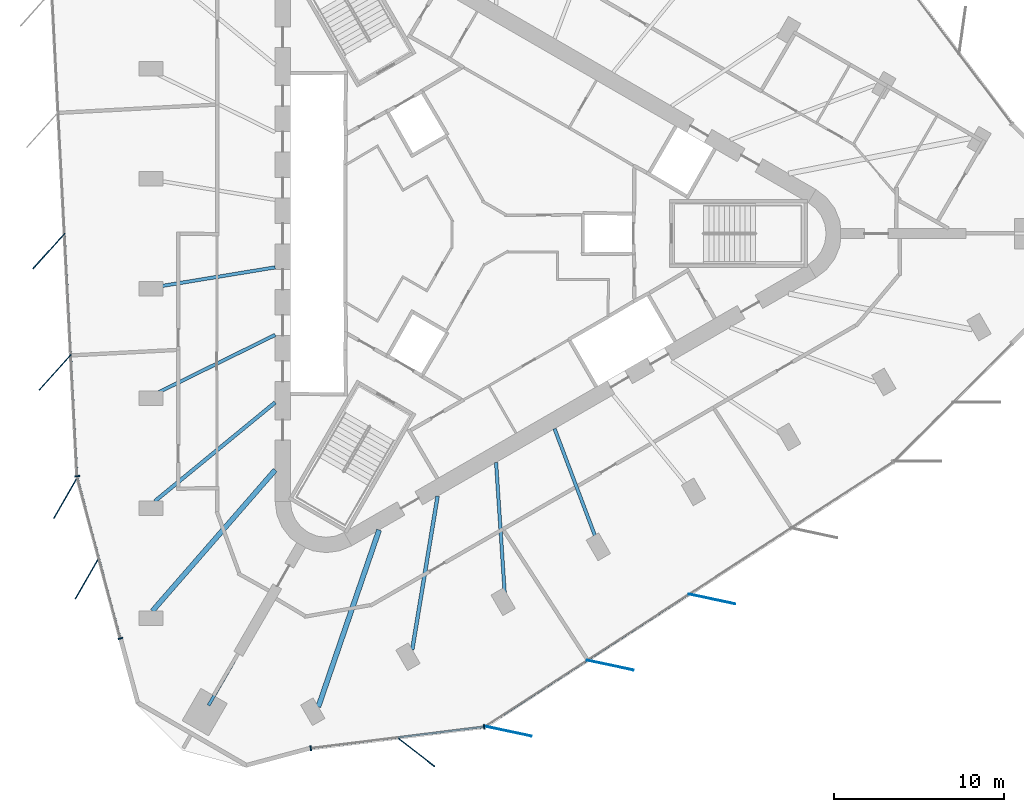
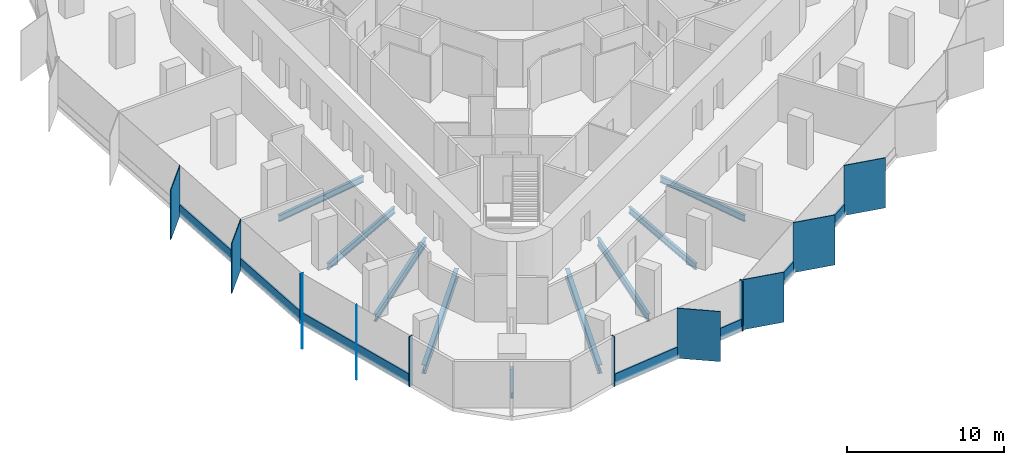
# One storey, part 2 of 12: 20 members, 9 beams, 4 elements without a shape of their own.
"""IFC4 building model written with IfcOpenShell, lengths in metres."""

from ifc_helpers import new_model, si_unit, direction, frame, origin, origin_2d, place, context, subcontext, project, spatial, rectangle, i_section, extrude, material, material_profile, profile_set, type_object, element, aggregate, save


model = new_model("IFC4")

# Units and contexts
model_context = context("Model", 3, precision=1e-05, world=origin(), true_north=direction((0.0, 1.0)))
body_context = subcontext(model_context, "Body", "Model", "MODEL_VIEW")
ifc_project = project(units=[si_unit("LENGTHUNIT", "METRE"), si_unit("AREAUNIT", "SQUARE_METRE"), si_unit("VOLUMEUNIT", "CUBIC_METRE"), si_unit("PLANEANGLEUNIT", "RADIAN"), si_unit("MASSUNIT", "GRAM", prefix="KILO")], contexts=[model_context])

# Site, building, storey
site_placement = place(None, origin())
site = spatial("IfcSite", under=ifc_project, at=site_placement, CompositionType="ELEMENT")
building_placement = place(site_placement, origin())
building = spatial("IfcBuilding", under=site, at=building_placement, Name="Tanit Gate Tower", CompositionType="ELEMENT")
storey_placement = place(building_placement, frame((0.0, 0.0, 357.199951171875)))
storey = spatial("IfcBuildingStorey", under=building, at=storey_placement, Name="L81", CompositionType="ELEMENT", Elevation=357.199951171875)

# Curtain wall, members
ifc_material_1 = material(Name="Aluminium bronze anodised and glass", Category="aluminium")
curtain_wall_type = type_object("IfcCurtainWallType", Name="Curtain wall typical high", PredefinedType="NOTDEFINED", material=ifc_material_1)
curtain_wall_1_placement = place(storey_placement, origin())
curtain_wall_1 = element("IfcCurtainWall", 1, at=curtain_wall_1_placement, inside=storey, type_object=curtain_wall_type, Name="Curtain wall L81 W2", PredefinedType="NOTDEFINED")
ifc_material_2 = material(Name="Aluminium bronze anodised", Category="aluminium")
ifc_material_profile_1 = material_profile(ifc_material_2, rectangle(XDim=2.800048828125, YDim=0.055908203125, at=origin_2d()), Name="56x2800 bronze fin mullion")
ifc_profile_set_1 = profile_set([ifc_material_profile_1], Name="Aluminium bronze anodised")
member_type_1 = type_object("IfcMemberType", Name="FIN MULLION 56x2800 bronze", PredefinedType="MULLION", material=ifc_profile_set_1)
member_1_placement = place(storey_placement, frame((-25.40966796875, -1.026611328125, -0.300048828125), z_axis=(0.0, 0.0, 1.0), x_axis=(0.66948111798, 0.742829073656, 0.0)))
member_1 = element("IfcMember", 2, at=member_1_placement, type_object=member_type_1, Name="Fin mullion L81 W2.3", PredefinedType="MULLION", context=body_context, shape_type="SweptSolid", body=[
    extrude(rectangle(XDim=2.800048828125, YDim=0.055908203125, at=origin_2d()), origin(), (0.0, 0.0, 1.0), 3.900146484375),
])
member_2_placement = place(storey_placement, frame((-25.0390625, -8.15966796875, -0.300048828125), z_axis=(0.0, 0.0, 1.0), x_axis=(0.66948111798, 0.742829073656, 0.0)))
member_2 = element("IfcMember", 3, at=member_2_placement, type_object=member_type_1, Name="Fin mullion L81 W2.4", PredefinedType="MULLION", context=body_context, shape_type="SweptSolid", body=[
    extrude(rectangle(XDim=2.800048828125, YDim=0.055908203125, at=origin_2d()), origin(), (0.0, 0.0, 1.0), 3.900146484375),
])

curtain_wall_2_placement = place(storey_placement, origin())
curtain_wall_2 = element("IfcCurtainWall", 4, at=curtain_wall_2_placement, inside=storey, type_object=curtain_wall_type, Name="Curtain wall L81 W3", PredefinedType="NOTDEFINED")
member_3_placement = place(storey_placement, frame((-24.4228515625, -15.541259765625, -0.300048828125), z_axis=(0.0, 0.0, 1.0), x_axis=(0.500271667571, 0.865868499615, 0.0)))
member_3 = element("IfcMember", 5, at=member_3_placement, type_object=member_type_1, Name="Fin mullion L81 W3.1", PredefinedType="MULLION", context=body_context, shape_type="SweptSolid", body=[
    extrude(rectangle(XDim=2.800048828125, YDim=0.055908203125, at=origin_2d()), origin(), (0.0, 0.0, 1.0), 3.900146484375),
])
member_4_placement = place(storey_placement, frame((-23.15673828125, -20.27197265625, -0.300048828125), z_axis=(0.0, 0.0, 1.0), x_axis=(0.500271667571, 0.865868499615, 0.0)))
member_4 = element("IfcMember", 6, at=member_4_placement, type_object=member_type_1, Name="Fin mullion L81 W3.2", PredefinedType="MULLION", context=body_context, shape_type="SweptSolid", body=[
    extrude(rectangle(XDim=2.800048828125, YDim=0.055908203125, at=origin_2d()), origin(), (0.0, 0.0, 1.0), 3.900146484375),
])

# Curtain wall, member
curtain_wall_3_placement = place(storey_placement, origin())
curtain_wall_3 = element("IfcCurtainWall", 7, at=curtain_wall_3_placement, inside=storey, type_object=curtain_wall_type, Name="Curtain wall L81 SE1", PredefinedType="NOTDEFINED")
member_5_placement = place(storey_placement, frame((-3.822998046875, -30.4853515625, -0.300048828125), z_axis=(0.0, 0.0, 1.0), x_axis=(-0.788562382323, 0.614954770032, 0.0)))
member_5 = element("IfcMember", 8, at=member_5_placement, type_object=member_type_1, Name="Fin mullion L81 SE1.2", PredefinedType="MULLION", context=body_context, shape_type="SweptSolid", body=[
    extrude(rectangle(XDim=2.800048828125, YDim=0.055908203125, at=origin_2d()), origin(), (0.0, 0.0, 1.0), 3.900146484375),
])

# Curtain wall, members
curtain_wall_4_placement = place(storey_placement, origin())
curtain_wall_4 = element("IfcCurtainWall", 9, at=curtain_wall_4_placement, inside=storey, type_object=curtain_wall_type, Name="Curtain wall L81 SE2", PredefinedType="NOTDEFINED")
member_6_placement = place(storey_placement, frame((1.609130859375, -29.26708984375, -0.300048828125), z_axis=(0.0, 0.0, 1.0), x_axis=(-0.978049407445, 0.208373118697, 0.0)))
member_6 = element("IfcMember", 10, at=member_6_placement, type_object=member_type_1, Name="Fin mullion L81 SE2.1", PredefinedType="MULLION", context=body_context, shape_type="SweptSolid", body=[
    extrude(rectangle(XDim=2.800048828125, YDim=0.055908203125, at=origin_2d()), origin(), (0.0, 0.0, 1.0), 3.900146484375),
])
member_7_placement = place(storey_placement, frame((7.6015625, -25.379638671875, -0.300048828125), z_axis=(0.0, 0.0, 1.0), x_axis=(-0.978049407445, 0.208373118697, 0.0)))
member_7 = element("IfcMember", 11, at=member_7_placement, type_object=member_type_1, Name="Fin mullion L81 SE2.2", PredefinedType="MULLION", context=body_context, shape_type="SweptSolid", body=[
    extrude(rectangle(XDim=2.800048828125, YDim=0.055908203125, at=origin_2d()), origin(), (0.0, 0.0, 1.0), 3.900146484375),
])
member_8_placement = place(storey_placement, frame((13.59375, -21.4921875, -0.300048828125), z_axis=(0.0, 0.0, 1.0), x_axis=(-0.978049407445, 0.208373118697, 0.0)))
member_8 = element("IfcMember", 12, at=member_8_placement, type_object=member_type_1, Name="Fin mullion L81 SE2.3", PredefinedType="MULLION", context=body_context, shape_type="SweptSolid", body=[
    extrude(rectangle(XDim=2.800048828125, YDim=0.055908203125, at=origin_2d()), origin(), (0.0, 0.0, 1.0), 3.900146484375),
])

# Member
ifc_material_3 = material(Name="Aluminium bronze anodised", Category="aluminium")
ifc_material_profile_2 = material_profile(ifc_material_3, rectangle(XDim=0.280029296875, YDim=0.080078125, at=origin_2d()), Name="80x280 bronze mullion")
ifc_profile_set_2 = profile_set([ifc_material_profile_2], Name="Aluminium bronze anodised")
member_type_2 = type_object("IfcMemberType", Name="Mullion 80x280 typical high", PredefinedType="MULLION", material=ifc_profile_set_2)
member_9_placement = place(storey_placement, frame((-23.74462890625, -14.267578125, -0.300048828125), z_axis=(0.0, 0.0, 1.0), x_axis=(0.998654113645, 0.051864836844, 0.0)))
member_9 = element("IfcMember", 13, at=member_9_placement, type_object=member_type_2, Name="Mullion L81 W2.5", PredefinedType="MULLION", context=body_context, shape_type="SweptSolid", body=[
    extrude(rectangle(XDim=0.280029296875, YDim=0.080078125, at=origin_2d()), origin(), (0.0, 0.0, 1.0), 3.900146484375),
])

member_10_placement = place(storey_placement, frame((-21.2001953125, -23.8076171875, -0.300048828125), z_axis=(0.0, 0.0, 1.0), x_axis=(0.966006976269, 0.258515999119, 0.0)))
member_10 = element("IfcMember", 14, at=member_10_placement, type_object=member_type_2, Name="Mullion L81 W3.3", PredefinedType="MULLION", context=body_context, shape_type="SweptSolid", body=[
    extrude(rectangle(XDim=0.280029296875, YDim=0.080078125, at=origin_2d()), origin(), (0.0, 0.0, 1.0), 3.900146484375),
])

member_11_placement = place(storey_placement, frame((-10.0087890625, -30.26708984375, -0.300048828125), z_axis=(0.0, 0.0, 1.0), x_axis=(-0.122759119916, 0.992436495942, 0.0)))
member_11 = element("IfcMember", 15, at=member_11_placement, type_object=member_type_2, Name="Mullion L81 SE1.1", PredefinedType="MULLION", context=body_context, shape_type="SweptSolid", body=[
    extrude(rectangle(XDim=0.280029296875, YDim=0.080078125, at=origin_2d()), origin(), (0.0, 0.0, 1.0), 3.900146484375),
])

member_12_placement = place(storey_placement, frame((0.18603515625, -29.006103515625, -0.300048828125), z_axis=(0.0, 0.0, 1.0), x_axis=(-0.122759119916, 0.992436495942, 0.0)))
member_12 = element("IfcMember", 16, at=member_12_placement, type_object=member_type_2, Name="Mullion L81 SE1.3", PredefinedType="MULLION", context=body_context, shape_type="SweptSolid", body=[
    extrude(rectangle(XDim=0.280029296875, YDim=0.080078125, at=origin_2d()), origin(), (0.0, 0.0, 1.0), 3.900146484375),
])

# Beams
ifc_material_4 = material(Name="Steel S355", Category="steel")
ifc_material_profile_3 = material_profile(ifc_material_4, i_section(OverallWidth=0.300048828125, OverallDepth=0.68994140625, WebThickness=0.014404296875, FlangeThickness=0.027099609375, FilletRadius=0.027099609375, at=origin_2d()), Name="HEA 700")
ifc_profile_set_3 = profile_set([ifc_material_profile_3], Name="Steel S355")
beam_type_1 = type_object("IfcBeamType", Name="RADIAL GIRDER HEA 700 S355", PredefinedType="BEAM", material=ifc_profile_set_3)
for number, where, z_axis, x_axis, name in (
    (17, (-19.322021484375, -22.198486328125, -0.64501953125), (0.656551846621, 0.754280897742, 0.0), (-0.754280897742, 0.656551846621, 0.0), "RADIAL GIRDER"),
    (18, (-9.563720703125, -27.83251953125, -0.64501953125), (0.324979251092, 0.945721146195, 0.0), (-0.945721146195, 0.324979251092, 0.0), "RADIAL GIRDER"),
):
    element("IfcBeam", number, at=place(storey_placement, frame(where, z_axis=z_axis, x_axis=x_axis)), inside=storey, type_object=beam_type_1, Name=name, PredefinedType="BEAM", context=body_context, shape_type="SweptSolid", body=[
        extrude(i_section(OverallWidth=0.300048828125, OverallDepth=0.68994140625, WebThickness=0.014404296875, FlangeThickness=0.027099609375, FilletRadius=0.027099609375, at=origin_2d()), origin(), (0.0, 0.0, 1.0), 10.996826171875),
    ])
ifc_material_5 = material(Name="Steel S355", Category="steel")
ifc_material_profile_4 = material_profile(ifc_material_5, i_section(OverallWidth=0.179931640625, OverallDepth=0.39990234375, WebThickness=0.008544921875, FlangeThickness=0.013427734375, FilletRadius=0.02099609375, at=origin_2d()), Name="IPE 400")
ifc_profile_set_4 = profile_set([ifc_material_profile_4], Name="Steel S355")
beam_type_2 = type_object("IfcBeamType", Name="RADIAL GIRDER IPE 400 S355", PredefinedType="BEAM", material=ifc_profile_set_4)
beam_1_placement = place(storey_placement, frame((-16.019775390625, -27.746826171875, -0.5), z_axis=(0.500014901547, 0.866016800201, 0.0), x_axis=(-0.866016800201, 0.500014901547, 0.0)))
element("IfcBeam", 19, at=beam_1_placement, inside=storey, type_object=beam_type_2, Name="RADIAL GIRDER", PredefinedType="BEAM", context=body_context, shape_type="SweptSolid", body=[
    extrude(i_section(OverallWidth=0.179931640625, OverallDepth=0.39990234375, WebThickness=0.008544921875, FlangeThickness=0.013427734375, FilletRadius=0.02099609375, at=origin_2d()), origin(), (0.0, 0.0, 1.0), 3.03515625),
])
ifc_material_6 = material(Name="Steel S355", Category="steel")
ifc_material_profile_5 = material_profile(ifc_material_6, i_section(OverallWidth=0.199951171875, OverallDepth=0.5, WebThickness=0.01025390625, FlangeThickness=0.01611328125, FilletRadius=0.02099609375, at=origin_2d()), Name="IPE 500")
ifc_profile_set_5 = profile_set([ifc_material_profile_5], Name="Steel S355")
beam_type_3 = type_object("IfcBeamType", Name="RADIAL GIRDER IPE 500 S355", PredefinedType="BEAM", material=ifc_profile_set_5)
beam_2_placement = place(storey_placement, frame((-18.99169921875, -3.116943359375, -0.550048828125), z_axis=(0.986795432202, 0.161971525229, 0.0), x_axis=(-0.161971525229, 0.986795432202, 0.0)))
element("IfcBeam", 20, at=beam_2_placement, inside=storey, type_object=beam_type_3, Name="RADIAL GIRDER", PredefinedType="BEAM", context=body_context, shape_type="SweptSolid", body=[
    extrude(i_section(OverallWidth=0.199951171875, OverallDepth=0.5, WebThickness=0.01025390625, FlangeThickness=0.01611328125, FilletRadius=0.02099609375, at=origin_2d()), origin(), (0.0, 0.0, 1.0), 6.98193359375),
])
beam_3_placement = place(storey_placement, frame((-18.99169921875, -9.35107421875, -0.550048828125), z_axis=(0.897144509959, 0.441737171009, 0.0), x_axis=(-0.441737171009, 0.897144509959, 0.0)))
element("IfcBeam", 21, at=beam_3_placement, inside=storey, type_object=beam_type_3, Name="RADIAL GIRDER", PredefinedType="BEAM", context=body_context, shape_type="SweptSolid", body=[
    extrude(i_section(OverallWidth=0.199951171875, OverallDepth=0.5, WebThickness=0.01025390625, FlangeThickness=0.01611328125, FilletRadius=0.02099609375, at=origin_2d()), origin(), (0.0, 0.0, 1.0), 7.679443359375),
])
beam_4_placement = place(storey_placement, frame((1.3974609375, -21.122802734375, -0.550048828125), z_axis=(-0.066029480547, 0.997817672573, 0.0), x_axis=(-0.997817672573, -0.066029480547, 0.0)))
element("IfcBeam", 22, at=beam_4_placement, inside=storey, type_object=beam_type_3, Name="RADIAL GIRDER", PredefinedType="BEAM", context=body_context, shape_type="SweptSolid", body=[
    extrude(i_section(OverallWidth=0.199951171875, OverallDepth=0.5, WebThickness=0.01025390625, FlangeThickness=0.01611328125, FilletRadius=0.02099609375, at=origin_2d()), origin(), (0.0, 0.0, 1.0), 7.6796875),
])
beam_5_placement = place(storey_placement, frame((6.79638671875, -18.005859375, -0.550048828125), z_axis=(-0.353142148435, 0.935569678324, 0.0), x_axis=(-0.935569678324, -0.353142148435, 0.0)))
element("IfcBeam", 23, at=beam_5_placement, inside=storey, type_object=beam_type_3, Name="RADIAL GIRDER", PredefinedType="BEAM", context=body_context, shape_type="SweptSolid", body=[
    extrude(i_section(OverallWidth=0.199951171875, OverallDepth=0.5, WebThickness=0.01025390625, FlangeThickness=0.01611328125, FilletRadius=0.02099609375, at=origin_2d()), origin(), (0.0, 0.0, 1.0), 6.98193359375),
])
ifc_material_7 = material(Name="Steel S355", Category="steel")
ifc_material_profile_6 = material_profile(ifc_material_7, i_section(OverallWidth=0.219970703125, OverallDepth=0.60009765625, WebThickness=0.011962890625, FlangeThickness=0.01904296875, FilletRadius=0.02392578125, at=origin_2d()), Name="IPE 600")
ifc_profile_set_6 = profile_set([ifc_material_profile_6], Name="Steel S355")
beam_type_4 = type_object("IfcBeamType", Name="RADIAL GIRDER IPE 600 S355", PredefinedType="BEAM", material=ifc_profile_set_6)
for number, where, z_axis, x_axis, name in (
    (24, (-19.173828125, -15.734619140625, -0.599853515625), (0.773033772719, 0.634364868381, 0.0), (-0.634364868381, 0.773033772719, 0.0), "RADIAL GIRDER"),
    (25, (-4.039794921875, -24.472412109375, -0.599853515625), (0.162871136194, 0.986647349865, 0.0), (-0.986647349865, 0.162871136194, 0.0), "RADIAL GIRDER"),
):
    element("IfcBeam", number, at=place(storey_placement, frame(where, z_axis=z_axis, x_axis=x_axis)), inside=storey, type_object=beam_type_4, Name=name, PredefinedType="BEAM", context=body_context, shape_type="SweptSolid", body=[
        extrude(i_section(OverallWidth=0.219970703125, OverallDepth=0.60009765625, WebThickness=0.011962890625, FlangeThickness=0.01904296875, FilletRadius=0.02392578125, at=origin_2d()), origin(), (0.0, 0.0, 1.0), 9.148193359375),
    ])

# Member
ifc_material_8 = material(Name="Aluminium bronze anodised", Category="aluminium")
ifc_material_profile_7 = material_profile(ifc_material_8, rectangle(XDim=0.1201171875, YDim=0.89990234375, at=origin_2d()), Name="120x900 bronze transom")
ifc_profile_set_7 = profile_set([ifc_material_profile_7], Name="Aluminium bronze anodised")
member_type_3 = type_object("IfcMemberType", Name="Transom 120x900 typical high", PredefinedType="USERDEFINED", material=ifc_profile_set_7)
member_13_placement = place(storey_placement, frame((-24.483642578125, -0.041259765625, 0.150146484375), z_axis=(0.051885711215, -0.998653029321, 0.0), x_axis=(0.998653029321, 0.051885711215, 0.0)))
member_13 = element("IfcMember", 26, at=member_13_placement, type_object=member_type_3, Name="Transom L81 W2.3", ObjectType="TRANSOM", PredefinedType="USERDEFINED", context=body_context, shape_type="SweptSolid", body=[
    extrude(rectangle(XDim=0.1201171875, YDim=0.89990234375, at=origin_2d()), origin(), (0.0, 0.0, 1.0), 7.062744140625),
])

member_14_placement = place(storey_placement, frame((-24.113037109375, -7.17431640625, 0.150146484375), z_axis=(0.051849446859, -0.9986549128, 0.0), x_axis=(0.9986549128, 0.051849446859, 0.0)))
member_14 = element("IfcMember", 27, at=member_14_placement, type_object=member_type_3, Name="Transom L81 W2.4", ObjectType="TRANSOM", PredefinedType="USERDEFINED", context=body_context, shape_type="SweptSolid", body=[
    extrude(rectangle(XDim=0.1201171875, YDim=0.89990234375, at=origin_2d()), origin(), (0.0, 0.0, 1.0), 7.06298828125),
])

aggregate(curtain_wall_1, [member_1, member_2, member_9, member_13, member_14])

member_15_placement = place(storey_placement, frame((-23.721923828125, -14.385009765625, 0.150146484375), z_axis=(0.258530032943, -0.966003220526, 0.0), x_axis=(0.966003220526, 0.258530032943, 0.0)))
member_15 = element("IfcMember", 28, at=member_15_placement, type_object=member_type_3, Name="Transom L81 W3.1", ObjectType="TRANSOM", PredefinedType="USERDEFINED", context=body_context, shape_type="SweptSolid", body=[
    extrude(rectangle(XDim=0.1201171875, YDim=0.89990234375, at=origin_2d()), origin(), (0.0, 0.0, 1.0), 4.817138671875),
])

member_16_placement = place(storey_placement, frame((-22.455810546875, -19.11572265625, 0.150146484375), z_axis=(0.258482737276, -0.966015876956, 0.0), x_axis=(0.966015876956, 0.258482737276, 0.0)))
member_16 = element("IfcMember", 29, at=member_16_placement, type_object=member_type_3, Name="Transom L81 W3.2", ObjectType="TRANSOM", PredefinedType="USERDEFINED", context=body_context, shape_type="SweptSolid", body=[
    extrude(rectangle(XDim=0.1201171875, YDim=0.89990234375, at=origin_2d()), origin(), (0.0, 0.0, 1.0), 4.817138671875),
])

aggregate(curtain_wall_2, [member_3, member_4, member_10, member_15, member_16])

member_17_placement = place(storey_placement, frame((-9.96923828125, -30.26220703125, 0.150146484375), z_axis=(0.99243896969, 0.122739119439, 0.0), x_axis=(-0.122739119439, 0.99243896969, 0.0)))
member_17 = element("IfcMember", 30, at=member_17_placement, type_object=member_type_3, Name="Transom L81 SE1.1", ObjectType="TRANSOM", PredefinedType="USERDEFINED", context=body_context, shape_type="SweptSolid", body=[
    extrude(rectangle(XDim=0.1201171875, YDim=0.89990234375, at=origin_2d()), origin(), (0.0, 0.0, 1.0), 5.056396484375),
])

member_18_placement = place(storey_placement, frame((-4.87158203125, -29.631591796875, 0.150146484375), z_axis=(0.99243896969, 0.122739119439, 0.0), x_axis=(-0.122739119439, 0.99243896969, 0.0)))
member_18 = element("IfcMember", 31, at=member_18_placement, type_object=member_type_3, Name="Transom L81 SE1.2", ObjectType="TRANSOM", PredefinedType="USERDEFINED", context=body_context, shape_type="SweptSolid", body=[
    extrude(rectangle(XDim=0.1201171875, YDim=0.89990234375, at=origin_2d()), origin(), (0.0, 0.0, 1.0), 5.056396484375),
])

aggregate(curtain_wall_3, [member_11, member_5, member_12, member_17, member_18])

member_19_placement = place(storey_placement, frame((0.29296875, -28.95751953125, 0.150146484375), z_axis=(0.838930574387, 0.544238450828, 0.0), x_axis=(-0.544238450828, 0.838930574387, 0.0)))
member_19 = element("IfcMember", 32, at=member_19_placement, type_object=member_type_3, Name="Transom L81 SE2.1", ObjectType="TRANSOM", PredefinedType="USERDEFINED", context=body_context, shape_type="SweptSolid", body=[
    extrude(rectangle(XDim=0.1201171875, YDim=0.89990234375, at=origin_2d()), origin(), (0.0, 0.0, 1.0), 7.0625),
])

member_20_placement = place(storey_placement, frame((6.28515625, -25.0703125, 0.150146484375), z_axis=(0.838914791337, 0.544262779249, 0.0), x_axis=(-0.544262779249, 0.838914791337, 0.0)))
member_20 = element("IfcMember", 33, at=member_20_placement, type_object=member_type_3, Name="Transom L81 SE2.2", ObjectType="TRANSOM", PredefinedType="USERDEFINED", context=body_context, shape_type="SweptSolid", body=[
    extrude(rectangle(XDim=0.1201171875, YDim=0.89990234375, at=origin_2d()), origin(), (0.0, 0.0, 1.0), 7.062744140625),
])

aggregate(curtain_wall_4, [member_6, member_7, member_8, member_19, member_20])

save(model, "model.ifc")
